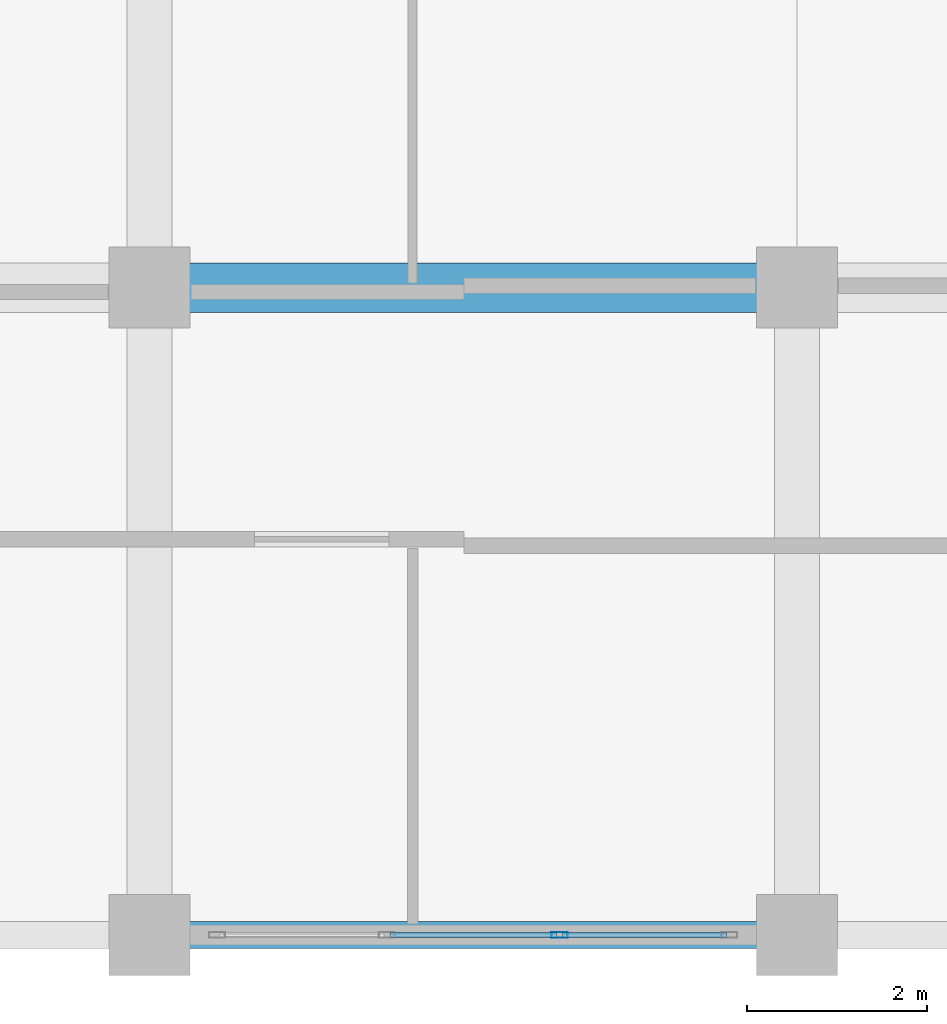
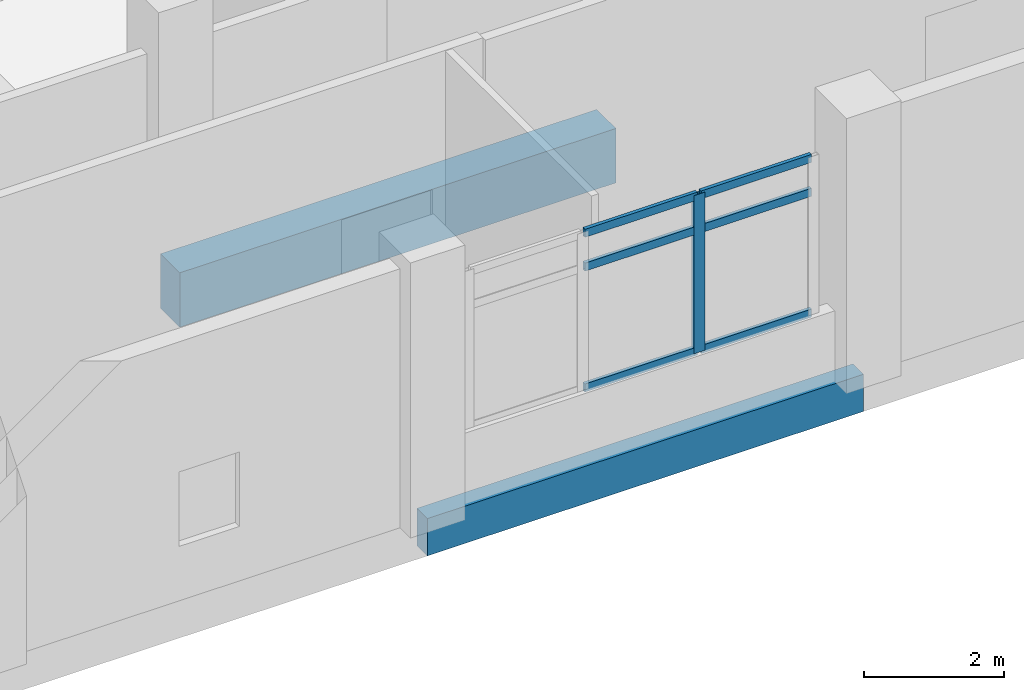
# One storey, part 9 of 181: 7 members, 2 beams, 1 element without a shape of its own.
"""IFC4 building model written with IfcOpenShell, lengths in metres."""

from ifc_helpers import new_model, si_unit, direction, frame, origin, origin_2d, place, context, subcontext, project, spatial, rectangle, hollow_rectangle, extrude, material, layer, layer_set, material_profile, profile_set, type_object, element, aggregate, save


model = new_model("IFC4")

# Units and contexts
model_context = context("Model", 3, precision=1e-05, world=origin(), true_north=direction((0.0, 1.0)))
body_context = subcontext(model_context, "Body", "Model", "MODEL_VIEW")
ifc_project = project(units=[si_unit("LENGTHUNIT", "METRE"), si_unit("AREAUNIT", "SQUARE_METRE"), si_unit("VOLUMEUNIT", "CUBIC_METRE"), si_unit("PLANEANGLEUNIT", "RADIAN"), si_unit("MASSUNIT", "GRAM", prefix="KILO")], contexts=[model_context])

# Site, building, storey
site_placement = place(None, origin())
site = spatial("IfcSite", under=ifc_project, at=site_placement, CompositionType="ELEMENT")
building_placement = place(site_placement, origin())
building = spatial("IfcBuilding", under=site, at=building_placement, Name="Seraya Terrace Polytechnic", CompositionType="ELEMENT")
storey_placement = place(building_placement, frame((0.0, 0.0, 4.800048828125)))
storey = spatial("IfcBuildingStorey", under=building, at=storey_placement, Name="L01", CompositionType="ELEMENT", Elevation=4.800048828125)

# Beam
ifc_material_1 = material(Name="Concrete C40/50", Category="concrete")
ifc_material_profile_1 = material_profile(ifc_material_1, rectangle(XDim=0.550048828125, YDim=0.949951171875, at=origin_2d()), Name="RC 550x950")
ifc_profile_set_1 = profile_set([ifc_material_profile_1], Name="Concrete C40/50")
beam_type_1 = type_object("IfcBeamType", Name="BM-03", PredefinedType="BEAM", material=ifc_profile_set_1)
beam_1_placement = place(storey_placement, frame((57.60009765625, 7.199951171875, -0.47509765625), z_axis=(1.0, 0.0, 0.0), x_axis=(0.0, 1.0, 0.0)))
element("IfcBeam", 1, at=beam_1_placement, inside=storey, type_object=beam_type_1, Name="Beam BM-03 L01 X (57.6..64.8, 7.2)", PredefinedType="BEAM", context=body_context, shape_type="SweptSolid", body=[
    extrude(rectangle(XDim=0.550048828125, YDim=0.949951171875, at=origin_2d()), origin(), (0.0, 0.0, 1.0), 7.199951171875),
])

# Curtain wall, members
ifc_material_2 = material(Name="Anodised aluminium EN AW-6063 T6", Category="aluminium")
ifc_layer = layer(ifc_material_2, 0.179931640625, Name="CW-34")
ifc_layer_set = layer_set([ifc_layer], Name="Anodised aluminium EN AW-6063 T6")
curtain_wall_type = type_object("IfcCurtainWallType", Name="CW-34", PredefinedType="NOTDEFINED", material=ifc_layer_set)
curtain_wall_placement = place(storey_placement, origin())
curtain_wall = element("IfcCurtainWall", 2, at=curtain_wall_placement, inside=storey, type_object=curtain_wall_type, Name="Unitised curtain wall CW-34 (CW-L01-034)", PredefinedType="NOTDEFINED")
ifc_material_profile_2 = material_profile(ifc_material_2, hollow_rectangle(XDim=0.06494140625, YDim=0.179931640625, WallThickness=0.00390625, at=origin_2d()), Name="RHS 180x65x4.0")
ifc_profile_set_2 = profile_set([ifc_material_profile_2], Name="Anodised aluminium EN AW-6063 T6")
member_type_1 = type_object("IfcMemberType", Name="CWM-01", PredefinedType="MULLION", material=ifc_profile_set_2)
member_1_placement = place(storey_placement, frame((62.159912109375, 0.0, 1.239990234375), z_axis=(0.0, 0.0, 1.0), x_axis=(0.0, -1.0, 0.0)))
member_1 = element("IfcMember", 3, at=member_1_placement, type_object=member_type_1, Name="CW-34 mullion 2", PredefinedType="MULLION", context=body_context, shape_type="SweptSolid", body=[
    extrude(hollow_rectangle(XDim=0.06494140625, YDim=0.179931640625, WallThickness=0.00390625, at=origin_2d()), origin(), (0.0, 0.0, 1.0), 2.760009765625),
])
ifc_material_profile_3 = material_profile(ifc_material_2, hollow_rectangle(XDim=0.06005859375, YDim=0.139892578125, WallThickness=0.00341796875, at=origin_2d()), Name="RHS 140x60x3.5")
ifc_profile_set_3 = profile_set([ifc_material_profile_3], Name="Anodised aluminium EN AW-6063 T6")
member_type_2 = type_object("IfcMemberType", Name="CWT-01", PredefinedType="USERDEFINED", material=ifc_profile_set_3)
member_2_placement = place(storey_placement, frame((64.014892578125, 0.0, 1.27001953125), z_axis=(-1.0, 0.0, 0.0), x_axis=(0.0, -1.0, 0.0)))
member_2 = element("IfcMember", 4, at=member_2_placement, type_object=member_type_2, Name="CW-34 transom 1.1", ObjectType="TRANSOM", PredefinedType="USERDEFINED", context=body_context, shape_type="SweptSolid", body=[
    extrude(hollow_rectangle(XDim=0.06005859375, YDim=0.139892578125, WallThickness=0.00341796875, at=origin_2d()), origin(), (0.0, 0.0, 1.0), 1.822509765625),
])
member_3_placement = place(storey_placement, frame((64.014892578125, 0.0, 3.3798828125), z_axis=(-1.0, 0.0, 0.0), x_axis=(0.0, -1.0, 0.0)))
member_3 = element("IfcMember", 5, at=member_3_placement, type_object=member_type_2, Name="CW-34 transom 1.2", ObjectType="TRANSOM", PredefinedType="USERDEFINED", context=body_context, shape_type="SweptSolid", body=[
    extrude(hollow_rectangle(XDim=0.06005859375, YDim=0.139892578125, WallThickness=0.00341796875, at=origin_2d()), origin(), (0.0, 0.0, 1.0), 1.822509765625),
])
member_4_placement = place(storey_placement, frame((64.014892578125, 0.0, 3.969970703125), z_axis=(-1.0, 0.0, 0.0), x_axis=(0.0, -1.0, 0.0)))
member_4 = element("IfcMember", 6, at=member_4_placement, type_object=member_type_2, Name="CW-34 transom 1.3", ObjectType="TRANSOM", PredefinedType="USERDEFINED", context=body_context, shape_type="SweptSolid", body=[
    extrude(hollow_rectangle(XDim=0.06005859375, YDim=0.139892578125, WallThickness=0.00341796875, at=origin_2d()), origin(), (0.0, 0.0, 1.0), 1.822509765625),
])
member_5_placement = place(storey_placement, frame((62.12744140625, 0.0, 1.27001953125), z_axis=(-1.0, 0.0, 0.0), x_axis=(0.0, -1.0, 0.0)))
member_5 = element("IfcMember", 7, at=member_5_placement, type_object=member_type_2, Name="CW-34 transom 2.1", ObjectType="TRANSOM", PredefinedType="USERDEFINED", context=body_context, shape_type="SweptSolid", body=[
    extrude(hollow_rectangle(XDim=0.06005859375, YDim=0.139892578125, WallThickness=0.00341796875, at=origin_2d()), origin(), (0.0, 0.0, 1.0), 1.85498046875),
])
member_6_placement = place(storey_placement, frame((62.12744140625, 0.0, 3.3798828125), z_axis=(-1.0, 0.0, 0.0), x_axis=(0.0, -1.0, 0.0)))
member_6 = element("IfcMember", 8, at=member_6_placement, type_object=member_type_2, Name="CW-34 transom 2.2", ObjectType="TRANSOM", PredefinedType="USERDEFINED", context=body_context, shape_type="SweptSolid", body=[
    extrude(hollow_rectangle(XDim=0.06005859375, YDim=0.139892578125, WallThickness=0.00341796875, at=origin_2d()), origin(), (0.0, 0.0, 1.0), 1.85498046875),
])
member_7_placement = place(storey_placement, frame((62.12744140625, 0.0, 3.969970703125), z_axis=(-1.0, 0.0, 0.0), x_axis=(0.0, -1.0, 0.0)))
member_7 = element("IfcMember", 9, at=member_7_placement, type_object=member_type_2, Name="CW-34 transom 2.3", ObjectType="TRANSOM", PredefinedType="USERDEFINED", context=body_context, shape_type="SweptSolid", body=[
    extrude(hollow_rectangle(XDim=0.06005859375, YDim=0.139892578125, WallThickness=0.00341796875, at=origin_2d()), origin(), (0.0, 0.0, 1.0), 1.85498046875),
])
aggregate(curtain_wall, [member_1, member_2, member_3, member_4, member_5, member_6, member_7])

# Beam
ifc_material_profile_4 = material_profile(ifc_material_1, rectangle(XDim=0.300048828125, YDim=0.64990234375, at=origin_2d()), Name="RC 300x650")
ifc_profile_set_4 = profile_set([ifc_material_profile_4], Name="Concrete C40/50")
beam_type_2 = type_object("IfcBeamType", Name="SP-01", PredefinedType="SPANDREL", material=ifc_profile_set_4)
beam_2_placement = place(storey_placement, frame((57.60009765625, 0.0, -0.324951171875), z_axis=(1.0, 0.0, 0.0), x_axis=(0.0, 1.0, 0.0)))
element("IfcBeam", 10, at=beam_2_placement, inside=storey, type_object=beam_type_2, Name="Beam SP-01 L01 X (57.6..64.8, 0.0)", PredefinedType="SPANDREL", context=body_context, shape_type="SweptSolid", body=[
    extrude(rectangle(XDim=0.300048828125, YDim=0.64990234375, at=origin_2d()), origin(), (0.0, 0.0, 1.0), 7.199951171875),
])

save(model, "model.ifc")
